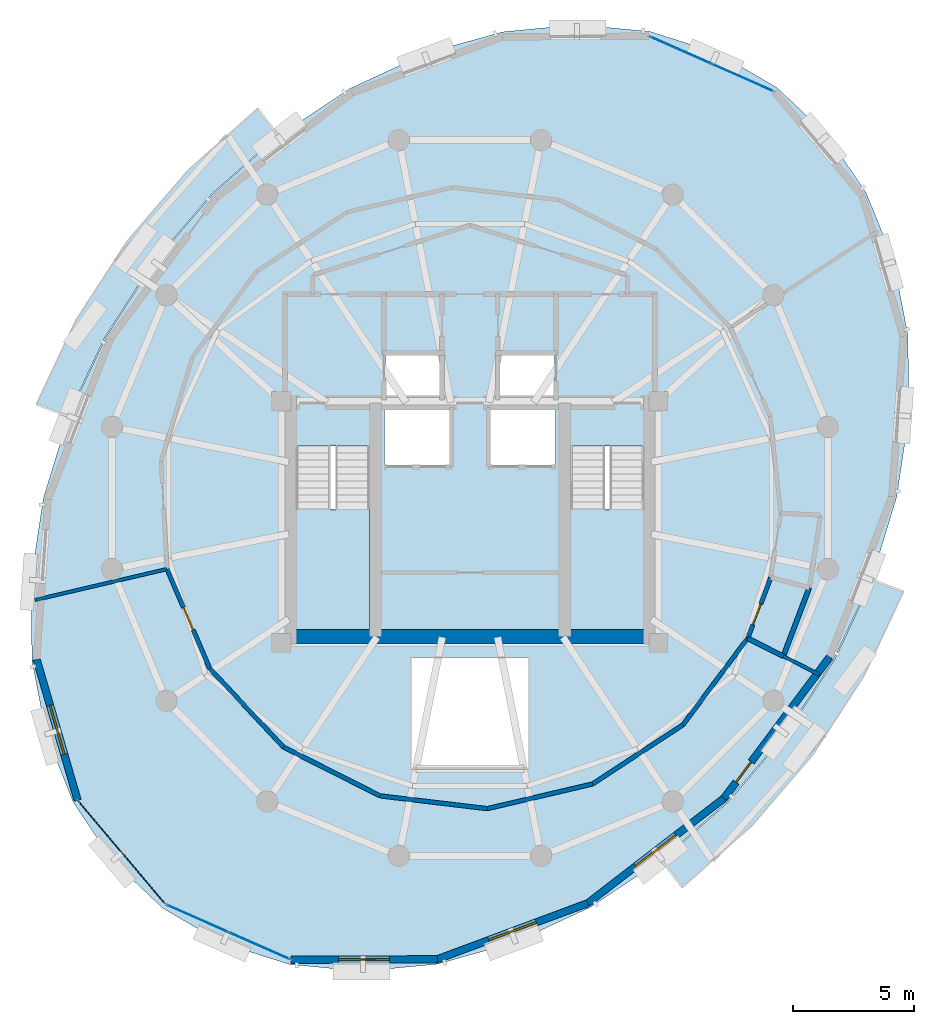
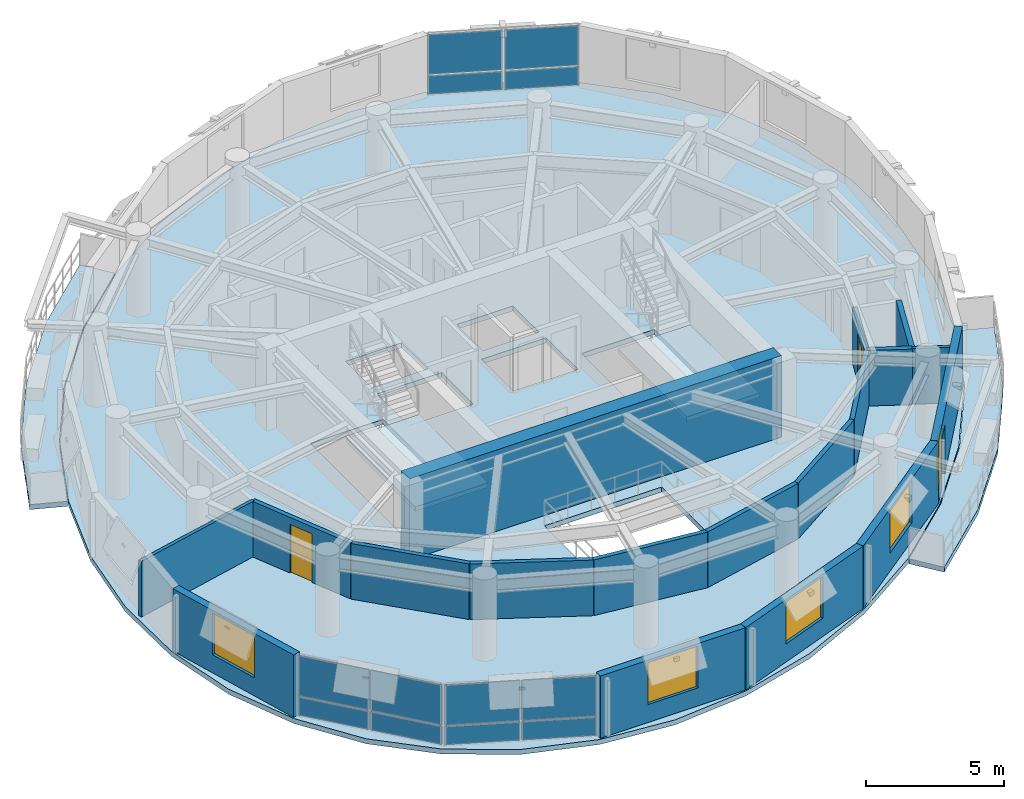
# One storey, part 6 of 11: 18 walls, 12 plates, 5 slabs, 4 windows, 3 doors, 7 openings, 5 elements without a shape of their own.
"""IFC4 building model written with IfcOpenShell, lengths in metres."""

from ifc_helpers import new_model, si_unit, direction, frame, frame_2d, origin, origin_2d, place, context, subcontext, project, spatial, polyline, rectangle, outline, extrude, material, layer, layer_set, type_object, element, fill, aggregate, save


model = new_model("IFC4")

# Units and contexts
model_context = context("Model", 3, precision=1e-05, world=origin(), true_north=direction((0.0, 1.0)))
body_context = subcontext(model_context, "Body", "Model", "MODEL_VIEW")
ifc_project = project(units=[si_unit("LENGTHUNIT", "METRE"), si_unit("AREAUNIT", "SQUARE_METRE"), si_unit("VOLUMEUNIT", "CUBIC_METRE"), si_unit("PLANEANGLEUNIT", "RADIAN"), si_unit("MASSUNIT", "GRAM", prefix="KILO"), si_unit("THERMODYNAMICTEMPERATUREUNIT", "KELVIN"), si_unit("POWERUNIT", "WATT")], contexts=[model_context])

# Site, building, storey
site_placement = place(None, origin())
site = spatial("IfcSite", under=ifc_project, at=site_placement, CompositionType="ELEMENT")
building_placement = place(site_placement, origin())
building = spatial("IfcBuilding", under=site, at=building_placement, Name="Ocrelia Relay Tower", CompositionType="ELEMENT")
storey_placement = place(building_placement, frame((0.0, 0.0, 252.0)))
storey = spatial("IfcBuildingStorey", under=building, at=storey_placement, Name="L62", CompositionType="ELEMENT", Elevation=252.0)

# Curtain wall, plates
ifc_material_1 = material(Name="Aluminium and solar-control low-E glass", Category="aluminium")
ifc_layer_1 = layer(ifc_material_1, 0.179931640625, Name="Aluminium and solar-control low-E glass")
ifc_layer_set_1 = layer_set([ifc_layer_1], Name="Aluminium and solar-control low-E glass")
curtain_wall_type = type_object("IfcCurtainWallType", Name="CW-SYS-Z4-EXEC", PredefinedType="NOTDEFINED", material=ifc_layer_set_1)
curtain_wall_1_placement = place(storey_placement, origin())
curtain_wall_1 = element("IfcCurtainWall", 1, at=curtain_wall_1_placement, inside=storey, type_object=curtain_wall_type, Name="L62 Elliptical Tower Curtain Wall Bay 01", PredefinedType="NOTDEFINED")
ifc_material_2 = material(Name="Clear double-glazed low-E glass", Category="glass")
ifc_layer_2 = layer(ifc_material_2, 0.031982421875, Name="Clear double-glazed low-E glass")
ifc_layer_set_2 = layer_set([ifc_layer_2], Name="Clear double-glazed low-E glass")
plate_type = type_object("IfcPlateType", Name="CW-SYS-Z4-EXEC-PNL", PredefinedType="CURTAIN_PANEL", material=ifc_layer_set_2)
plate_1_placement = place(storey_placement, frame((45.272705078125, 43.39306640625, 0.06005859375), z_axis=(0.0, 0.0, 1.0), x_axis=(-0.914627100885, 0.404298486673, 0.0)))
plate_1 = element("IfcPlate", 2, at=plate_1_placement, type_object=plate_type, Name="CW-Z4 panel 1.1", PredefinedType="CURTAIN_PANEL", context=body_context, shape_type="SweptSolid", body=[
    extrude(rectangle(XDim=2.7275390625, YDim=0.031982421875, at=origin_2d()), origin(), (0.0, 0.0, 1.0), 0.81005859375),
])
plate_2_placement = place(storey_placement, frame((45.272705078125, 43.39306640625, 0.929931640625), z_axis=(0.0, 0.0, 1.0), x_axis=(-0.914627100885, 0.404298486673, 0.0)))
plate_2 = element("IfcPlate", 3, at=plate_2_placement, type_object=plate_type, Name="CW-Z4 panel 1.2", PredefinedType="CURTAIN_PANEL", context=body_context, shape_type="SweptSolid", body=[
    extrude(rectangle(XDim=2.7275390625, YDim=0.031982421875, at=origin_2d()), origin(), (0.0, 0.0, 1.0), 1.77001953125),
])
plate_3_placement = place(storey_placement, frame((42.718505859375, 44.522216796875, 0.06005859375), z_axis=(0.0, 0.0, 1.0), x_axis=(-0.914627100885, 0.404298486673, 0.0)))
plate_3 = element("IfcPlate", 4, at=plate_3_placement, type_object=plate_type, Name="CW-Z4 panel 2.1", PredefinedType="CURTAIN_PANEL", context=body_context, shape_type="SweptSolid", body=[
    extrude(rectangle(XDim=2.7275390625, YDim=0.031982421875, at=origin_2d()), origin(), (0.0, 0.0, 1.0), 0.81005859375),
])
plate_4_placement = place(storey_placement, frame((42.718505859375, 44.522216796875, 0.929931640625), z_axis=(0.0, 0.0, 1.0), x_axis=(-0.914627100885, 0.404298486673, 0.0)))
plate_4 = element("IfcPlate", 5, at=plate_4_placement, type_object=plate_type, Name="CW-Z4 panel 2.2", PredefinedType="CURTAIN_PANEL", context=body_context, shape_type="SweptSolid", body=[
    extrude(rectangle(XDim=2.7275390625, YDim=0.031982421875, at=origin_2d()), origin(), (0.0, 0.0, 1.0), 1.77001953125),
])
aggregate(curtain_wall_1, [plate_1, plate_2, plate_3, plate_4])

curtain_wall_2_placement = place(storey_placement, origin())
curtain_wall_2 = element("IfcCurtainWall", 6, at=curtain_wall_2_placement, inside=storey, type_object=curtain_wall_type, Name="L62 Elliptical Tower Curtain Wall Bay 09", PredefinedType="NOTDEFINED")
plate_5_placement = place(storey_placement, frame((18.693115234375, 12.40673828125, 0.06005859375), z_axis=(0.0, 0.0, 1.0), x_axis=(0.646085828535, -0.763264765443, 0.0)))
plate_5 = element("IfcPlate", 7, at=plate_5_placement, type_object=plate_type, Name="CW-Z4 panel 1.1", PredefinedType="CURTAIN_PANEL", context=body_context, shape_type="SweptSolid", body=[
    extrude(rectangle(XDim=2.727783203125, YDim=0.031982421875, at=origin_2d()), origin(), (0.0, 0.0, 1.0), 0.81005859375),
])
plate_6_placement = place(storey_placement, frame((18.693115234375, 12.40673828125, 0.929931640625), z_axis=(0.0, 0.0, 1.0), x_axis=(0.646085828535, -0.763264765443, 0.0)))
plate_6 = element("IfcPlate", 8, at=plate_6_placement, type_object=plate_type, Name="CW-Z4 panel 1.2", PredefinedType="CURTAIN_PANEL", context=body_context, shape_type="SweptSolid", body=[
    extrude(rectangle(XDim=2.727783203125, YDim=0.031982421875, at=origin_2d()), origin(), (0.0, 0.0, 1.0), 1.77001953125),
])
plate_7_placement = place(storey_placement, frame((20.497314453125, 10.275146484375, 0.06005859375), z_axis=(0.0, 0.0, 1.0), x_axis=(0.646085828535, -0.763264765443, 0.0)))
plate_7 = element("IfcPlate", 9, at=plate_7_placement, type_object=plate_type, Name="CW-Z4 panel 2.1", PredefinedType="CURTAIN_PANEL", context=body_context, shape_type="SweptSolid", body=[
    extrude(rectangle(XDim=2.727783203125, YDim=0.031982421875, at=origin_2d()), origin(), (0.0, 0.0, 1.0), 0.81005859375),
])
plate_8_placement = place(storey_placement, frame((20.497314453125, 10.275146484375, 0.929931640625), z_axis=(0.0, 0.0, 1.0), x_axis=(0.646085828535, -0.763264765443, 0.0)))
plate_8 = element("IfcPlate", 10, at=plate_8_placement, type_object=plate_type, Name="CW-Z4 panel 2.2", PredefinedType="CURTAIN_PANEL", context=body_context, shape_type="SweptSolid", body=[
    extrude(rectangle(XDim=2.727783203125, YDim=0.031982421875, at=origin_2d()), origin(), (0.0, 0.0, 1.0), 1.77001953125),
])
aggregate(curtain_wall_2, [plate_5, plate_6, plate_7, plate_8])

curtain_wall_3_placement = place(storey_placement, origin())
curtain_wall_3 = element("IfcCurtainWall", 11, at=curtain_wall_3_placement, inside=storey, type_object=curtain_wall_type, Name="L62 Elliptical Tower Curtain Wall Bay 10", PredefinedType="NOTDEFINED")
plate_9_placement = place(storey_placement, frame((22.727294921875, 8.60693359375, 0.06005859375), z_axis=(0.0, 0.0, 1.0), x_axis=(0.914627100885, -0.404298486673, 0.0)))
plate_9 = element("IfcPlate", 12, at=plate_9_placement, type_object=plate_type, Name="CW-Z4 panel 1.1", PredefinedType="CURTAIN_PANEL", context=body_context, shape_type="SweptSolid", body=[
    extrude(rectangle(XDim=2.7275390625, YDim=0.031982421875, at=origin_2d()), origin(), (0.0, 0.0, 1.0), 0.81005859375),
])
plate_10_placement = place(storey_placement, frame((22.727294921875, 8.60693359375, 0.929931640625), z_axis=(0.0, 0.0, 1.0), x_axis=(0.914627100885, -0.404298486673, 0.0)))
plate_10 = element("IfcPlate", 13, at=plate_10_placement, type_object=plate_type, Name="CW-Z4 panel 1.2", PredefinedType="CURTAIN_PANEL", context=body_context, shape_type="SweptSolid", body=[
    extrude(rectangle(XDim=2.7275390625, YDim=0.031982421875, at=origin_2d()), origin(), (0.0, 0.0, 1.0), 1.77001953125),
])
plate_11_placement = place(storey_placement, frame((25.281494140625, 7.477783203125, 0.06005859375), z_axis=(0.0, 0.0, 1.0), x_axis=(0.914627100885, -0.404298486673, 0.0)))
plate_11 = element("IfcPlate", 14, at=plate_11_placement, type_object=plate_type, Name="CW-Z4 panel 2.1", PredefinedType="CURTAIN_PANEL", context=body_context, shape_type="SweptSolid", body=[
    extrude(rectangle(XDim=2.7275390625, YDim=0.031982421875, at=origin_2d()), origin(), (0.0, 0.0, 1.0), 0.81005859375),
])
plate_12_placement = place(storey_placement, frame((25.281494140625, 7.477783203125, 0.929931640625), z_axis=(0.0, 0.0, 1.0), x_axis=(0.914627100885, -0.404298486673, 0.0)))
plate_12 = element("IfcPlate", 15, at=plate_12_placement, type_object=plate_type, Name="CW-Z4 panel 2.2", PredefinedType="CURTAIN_PANEL", context=body_context, shape_type="SweptSolid", body=[
    extrude(rectangle(XDim=2.7275390625, YDim=0.031982421875, at=origin_2d()), origin(), (0.0, 0.0, 1.0), 1.77001953125),
])
aggregate(curtain_wall_3, [plate_9, plate_10, plate_11, plate_12])

# Slabs
ifc_material_3 = material(Name="Precast concrete C40/50", Category="concrete")
ifc_layer_3 = layer(ifc_material_3, 0.219970703125, Name="Precast concrete C40/50")
ifc_layer_set_3 = layer_set([ifc_layer_3], Name="Precast concrete C40/50")
slab_type_1 = type_object("IfcSlabType", Name="SL-BALC-220", PredefinedType="FLOOR", material=ifc_layer_set_3)
slab_1_placement = place(storey_placement, frame((0.0, 0.0, -0.219970703125)))
element("IfcSlab", 16, at=slab_1_placement, inside=storey, type_object=slab_type_1, Name="L62 Planted Loggia Balcony B1", PredefinedType="FLOOR", context=body_context, shape_type="SweptSolid", body=[
    extrude(outline(polyline([(26.060302734375, 41.005126953125), (24.6953125, 39.794921875), (23.330078125, 38.584716796875), (20.924072265625, 35.781982421875), (18.914794921875, 32.6826171875), (18.139404296875, 31.03125), (17.36376953125, 29.380126953125), (16.06396484375, 29.882080078125), (16.88037109375, 31.62060546875), (17.697021484375, 33.359130859375), (19.80859375, 36.61669921875), (22.337158203125, 39.56201171875), (23.7744140625, 40.836181640625), (25.211669921875, 42.1103515625), (26.060302734375, 41.005126953125)])), origin(), (0.0, 0.0, 1.0), 0.219970703125),
])
slab_2_placement = place(storey_placement, frame((0.0, 0.0, -0.219970703125)))
element("IfcSlab", 17, at=slab_2_placement, inside=storey, type_object=slab_type_1, Name="L62 Planted Loggia Balcony B2", PredefinedType="FLOOR", context=body_context, shape_type="SweptSolid", body=[
    extrude(outline(polyline([(41.939697265625, 10.994873046875), (43.3046875, 12.205078125), (44.669921875, 13.415283203125), (47.075927734375, 16.218017578125), (49.085205078125, 19.3173828125), (49.860595703125, 20.96875), (50.63623046875, 22.619873046875), (51.93603515625, 22.117919921875), (51.11962890625, 20.37939453125), (50.302978515625, 18.640869140625), (48.19140625, 15.38330078125), (45.662841796875, 12.43798828125), (44.2255859375, 11.163818359375), (42.788330078125, 9.8896484375), (41.939697265625, 10.994873046875)])), origin(), (0.0, 0.0, 1.0), 0.219970703125),
])
ifc_material_4 = material(Name="Concrete C50/60", Category="concrete")
ifc_layer_4 = layer(ifc_material_4, 0.219970703125, Name="Concrete C50/60")
ifc_layer_set_4 = layer_set([ifc_layer_4], Name="Concrete C50/60")
slab_type_2 = type_object("IfcSlabType", Name="SL-FLR-220", PredefinedType="FLOOR", material=ifc_layer_set_4)
slab_3_placement = place(storey_placement, frame((0.0, 0.0, -0.219970703125)))
element("IfcSlab", 18, at=slab_3_placement, inside=storey, type_object=slab_type_2, Name="L62 Elliptical Tower Floor Slab", PredefinedType="FLOOR", context=body_context, shape_type="SweptSolid", body=[
    extrude(outline(polyline([(46.69921875, 42.9755859375), (44.239990234375, 44.4130859375), (41.469482421875, 45.291259765625), (38.471923828125, 45.583251953125), (35.338623046875, 45.2802734375), (32.16455078125, 44.391357421875), (29.04638671875, 42.943603515625), (26.07861328125, 40.981201171875), (23.3515625, 38.5634765625), (20.947998046875, 35.76416015625), (18.941162109375, 32.66796875), (17.391845703125, 29.369384765625), (16.34716796875, 25.96826171875), (15.838623046875, 22.568115234375), (15.882080078125, 19.272216796875), (16.47607421875, 16.180908203125), (17.6025390625, 13.3876953125), (19.227294921875, 10.977783203125), (21.30078125, 9.0244140625), (23.760009765625, 7.5869140625), (26.530517578125, 6.708740234375), (29.528076171875, 6.416748046875), (32.661376953125, 6.7197265625), (35.83544921875, 7.608642578125), (38.95361328125, 9.056396484375), (41.92138671875, 11.018798828125), (44.6484375, 13.4365234375), (47.052001953125, 16.23583984375), (49.058837890625, 19.33203125), (50.608154296875, 22.630615234375), (51.65283203125, 26.03173828125), (52.161376953125, 29.431884765625), (52.117919921875, 32.727783203125), (51.52392578125, 35.819091796875), (50.3974609375, 38.6123046875), (48.772705078125, 41.022216796875), (46.69921875, 42.9755859375)]), holes=[polyline([(26.81005859375, 28.14990234375), (26.81005859375, 20.550048828125), (29.85009765625, 20.550048828125), (29.85009765625, 28.14990234375), (26.81005859375, 28.14990234375)]), polyline([(38.159912109375, 28.14990234375), (38.159912109375, 20.550048828125), (41.199951171875, 20.550048828125), (41.199951171875, 28.14990234375), (38.159912109375, 28.14990234375)]), polyline([(30.4599609375, 27.35009765625), (33.159912109375, 27.35009765625), (33.159912109375, 29.64990234375), (30.4599609375, 29.64990234375), (30.4599609375, 27.35009765625)]), polyline([(34.840087890625, 27.35009765625), (37.5400390625, 27.35009765625), (37.5400390625, 29.64990234375), (34.840087890625, 29.64990234375), (34.840087890625, 27.35009765625)]), polyline([(30.5, 30.10009765625), (32.85009765625, 30.10009765625), (32.85009765625, 32.0), (30.5, 32.0), (30.5, 30.10009765625)]), polyline([(35.14990234375, 30.10009765625), (37.5, 30.10009765625), (37.5, 32.0), (35.14990234375, 32.0), (35.14990234375, 30.10009765625)]), polyline([(31.550048828125, 14.800048828125), (36.449951171875, 14.800048828125), (36.449951171875, 19.39990234375), (31.550048828125, 19.39990234375), (31.550048828125, 14.800048828125)])]), origin(), (0.0, 0.0, 1.0), 0.219970703125),
])

# Stair, slab
stair_type = type_object("IfcStairType", Name="ST-DL-1420-R180", PredefinedType="HALF_TURN_STAIR", material=ifc_material_4)
stair_1_placement = place(storey_placement, origin())
stair_1 = element("IfcStair", 19, at=stair_1_placement, inside=storey, type_object=stair_type, Name="L62 West Core Exit Stair ST1", PredefinedType="HALF_TURN_STAIR")
ifc_layer_5 = layer(ifc_material_4, 0.199951171875, Name="Concrete C50/60")
ifc_layer_set_5 = layer_set([ifc_layer_5], Name="Concrete C50/60")
slab_type_3 = type_object("IfcSlabType", Name="SL-LANDING-200", PredefinedType="LANDING", material=ifc_layer_set_5)
slab_4_placement = place(storey_placement, frame((0.0, 0.0, 1.60009765625)))
slab_4 = element("IfcSlab", 20, at=slab_4_placement, type_object=slab_type_3, Name="ST1 landing 1", PredefinedType="LANDING", context=body_context, shape_type="SweptSolid", body=[
    extrude(outline(polyline([(26.81005859375, 25.5400390625), (26.81005859375, 20.550048828125), (29.85009765625, 20.550048828125), (29.85009765625, 25.5400390625), (26.81005859375, 25.5400390625)])), origin(), (0.0, 0.0, 1.0), 0.199951171875),
])
aggregate(stair_1, [slab_4])

stair_2_placement = place(storey_placement, origin())
stair_2 = element("IfcStair", 21, at=stair_2_placement, inside=storey, type_object=stair_type, Name="L62 East Core Exit Stair ST2", PredefinedType="HALF_TURN_STAIR")
slab_5_placement = place(storey_placement, frame((0.0, 0.0, 1.60009765625)))
slab_5 = element("IfcSlab", 22, at=slab_5_placement, type_object=slab_type_3, Name="ST2 landing 1", PredefinedType="LANDING", context=body_context, shape_type="SweptSolid", body=[
    extrude(outline(polyline([(38.159912109375, 25.5400390625), (38.159912109375, 20.550048828125), (41.199951171875, 20.550048828125), (41.199951171875, 25.5400390625), (38.159912109375, 25.5400390625)])), origin(), (0.0, 0.0, 1.0), 0.199951171875),
])
aggregate(stair_2, [slab_5])

# Wall
ifc_layer_6 = layer(ifc_material_4, 0.60009765625, Name="Concrete C50/60")
ifc_layer_set_6 = layer_set([ifc_layer_6], Name="Concrete C50/60")
wall_type_1 = type_object("IfcWallType", Name="CW-CORE-600B", PredefinedType="SHEAR", material=ifc_layer_set_6)
wall_1_placement = place(storey_placement, frame((26.221923828125, 20.261962890625, 0.0), z_axis=(0.0, 0.0, 1.0), x_axis=(1.0, 0.0, 0.0)))
element("IfcWall", 23, at=wall_1_placement, inside=storey, type_object=wall_type_1, Name="L62 Core Shear Wall S", PredefinedType="SHEAR", context=body_context, shape_type="SweptSolid", body=[
    extrude(rectangle(XDim=15.566162109375, YDim=0.60009765625, at=frame_2d((7.783203125, 0.0))), origin(), (0.0, 0.0, 1.0), 3.60009765625),
])

# Wall, opening, door
ifc_material_5 = material(Name="Gypsum Fireboard Partition EI60", Category="gypsum")
ifc_layer_7 = layer(ifc_material_5, 0.179931640625, Name="Gypsum Fireboard Partition EI60")
ifc_layer_set_7 = layer_set([ifc_layer_7], Name="Gypsum Fireboard Partition EI60")
wall_type_2 = type_object("IfcWallType", Name="W-CORR-EI60-180", PredefinedType="PARTITIONING", material=ifc_layer_set_7)
wall_2_placement = place(storey_placement, frame((45.487548828125, 20.197265625, 0.0), z_axis=(0.0, 0.0, 1.0), x_axis=(0.355157498944, 0.934806477804, 0.0)))
wall_2 = element("IfcWall", 24, at=wall_2_placement, inside=storey, type_object=wall_type_2, Name="L62 Staff Toilet Corridor Wall", PredefinedType="PARTITIONING", context=body_context, shape_type="SweptSolid", body=[
    extrude(rectangle(XDim=2.6904296875, YDim=0.179931640625, at=frame_2d((1.34521484375, 0.0))), origin(), (0.0, 0.0, 1.0), 2.4599609375),
])
opening_1_placement = place(wall_2_placement, frame((0.603271484375, 0.0, 0.0)))
opening_1 = element("IfcOpeningElement", 25, at=opening_1_placement, cuts=wall_2, Name="Opening D-WC92", PredefinedType="OPENING", context=body_context, shape_type="SweptSolid", body=[
    extrude(rectangle(XDim=0.919921875, YDim=2.10009765625, at=frame_2d((0.4599609375, 1.050048828125))), frame((0.0, 0.10009765625, 0.0), z_axis=(0.0, -1.0, 0.0), x_axis=(1.0, 0.0, 0.0)), (0.0, 0.0, 1.0), 0.199951171875),
])
ifc_material_6 = material(Name="Laminate washroom door", Category="wood")
door_type_1 = type_object("IfcDoorType", Name="DR-WC-920", OperationType="NOTDEFINED", PredefinedType="DOOR", material=ifc_material_6)
door_1_placement = place(opening_1_placement, origin())
door_1 = element("IfcDoor", 26, at=door_1_placement, inside=storey, type_object=door_type_1, Name="L62 Staff Toilet Door", OperationType="SINGLE_SWING_RIGHT", OverallHeight=2.10009765625, OverallWidth=0.919921875, PredefinedType="DOOR", context=body_context, shape_type="SweptSolid", body=[
    extrude(rectangle(XDim=0.919921875, YDim=2.10009765625, at=frame_2d((0.4599609375, 1.050048828125))), frame((0.0, 0.02490234375, 0.0), z_axis=(0.0, -1.0, 0.0), x_axis=(1.0, 0.0, 0.0)), (0.0, 0.0, 1.0), 0.050048828125),
])
fill(opening_1, door_1)

wall_3_placement = place(storey_placement, frame((21.469970703125, 23.06103515625, 0.0), z_axis=(0.0, 0.0, 1.0), x_axis=(0.393939075681, -0.919136553866, 0.0)))
wall_3 = element("IfcWall", 27, at=wall_3_placement, inside=storey, type_object=wall_type_2, Name="L62 Staff Wellness and Fitness Studio Corridor Partition 1", PredefinedType="PARTITIONING", context=body_context, shape_type="SweptSolid", body=[
    extrude(rectangle(XDim=4.469482421875, YDim=0.179931640625, at=frame_2d((2.23486328125, 0.0))), origin(), (0.0, 0.0, 1.0), 2.4599609375),
])
opening_2_placement = place(wall_3_placement, frame((1.73486328125, 0.0, 0.0)))
opening_2 = element("IfcOpeningElement", 28, at=opening_2_placement, cuts=wall_3, Name="Opening D-RM100", PredefinedType="OPENING", context=body_context, shape_type="SweptSolid", body=[
    extrude(rectangle(XDim=1.0, YDim=2.14990234375, at=frame_2d((0.5, 1.074951171875))), frame((0.0, 0.10009765625, 0.0), z_axis=(0.0, -1.0, 0.0), x_axis=(1.0, 0.0, 0.0)), (0.0, 0.0, 1.0), 0.199951171875),
])
ifc_material_7 = material(Name="Acoustic oak veneer fire door", Category="wood")
door_type_2 = type_object("IfcDoorType", Name="DR-ROOM-FD60-1000", OperationType="NOTDEFINED", PredefinedType="DOOR", material=ifc_material_7)
door_2_placement = place(opening_2_placement, origin())
door_2 = element("IfcDoor", 29, at=door_2_placement, inside=storey, type_object=door_type_2, Name="L62 Staff Wellness and Fitness Studio Entrance Door", OperationType="SINGLE_SWING_RIGHT", OverallHeight=2.14990234375, OverallWidth=1.0, PredefinedType="DOOR", context=body_context, shape_type="SweptSolid", body=[
    extrude(rectangle(XDim=1.0, YDim=2.14990234375, at=frame_2d((0.5, 1.074951171875))), frame((0.0, 0.02490234375, 0.0), z_axis=(0.0, -1.0, 0.0), x_axis=(1.0, 0.0, 0.0)), (0.0, 0.0, 1.0), 0.050048828125),
])
fill(opening_2, door_2)

# Walls
wall_4_placement = place(storey_placement, frame((23.230712890625, 18.952880859375, 0.0), z_axis=(0.0, 0.0, 1.0), x_axis=(0.684554994784, -0.728961219213, 0.0)))
element("IfcWall", 30, at=wall_4_placement, inside=storey, type_object=wall_type_2, Name="L62 Staff Wellness and Fitness Studio Corridor Partition 2", PredefinedType="PARTITIONING", context=body_context, shape_type="SweptSolid", body=[
    extrude(rectangle(XDim=4.4697265625, YDim=0.179931640625, at=frame_2d((2.23486328125, 0.0))), origin(), (0.0, 0.0, 1.0), 2.4599609375),
])
wall_5_placement = place(storey_placement, frame((26.29052734375, 15.694580078125, 0.0), z_axis=(0.0, 0.0, 1.0), x_axis=(0.892584460016, -0.450880229925, 0.0)))
element("IfcWall", 31, at=wall_5_placement, inside=storey, type_object=wall_type_2, Name="L62 Staff Wellness and Fitness Studio Corridor Partition 3", PredefinedType="PARTITIONING", context=body_context, shape_type="SweptSolid", body=[
    extrude(rectangle(XDim=4.469970703125, YDim=0.179931640625, at=frame_2d((2.23486328125, 0.0))), origin(), (0.0, 0.0, 1.0), 2.4599609375),
])
for number, where, z_axis, x_axis, name in (
    (32, (30.2802734375, 13.67919921875, 0.0), (0.0, 0.0, 1.0), (0.992970095905, -0.118365487531, 0.0), "L62 Staff Wellness and Fitness Studio Corridor Partition 4"),
    (33, (34.718505859375, 13.150146484375, 0.0), (0.0, 0.0, 1.0), (0.973585963323, 0.228320765636, 0.0), "L62 Staff Wellness and Fitness Studio Corridor Partition 5"),
    (34, (39.070068359375, 14.170654296875, 0.0), (0.0, 0.0, 1.0), (0.836751116768, 0.54758338962, 0.0), "L62 Staff Wellness and Fitness Studio Corridor Partition 6"),
    (35, (42.81005859375, 16.6181640625, 0.0), (0.0, 0.0, 1.0), (0.599020755264, 0.800733497964, 0.0), "L62 Staff Wellness and Fitness Studio Corridor Partition 7"),
):
    element("IfcWall", number, at=place(storey_placement, frame(where, z_axis=z_axis, x_axis=x_axis)), inside=storey, type_object=wall_type_2, Name=name, PredefinedType="PARTITIONING", context=body_context, shape_type="SweptSolid", body=[
        extrude(rectangle(XDim=4.4697265625, YDim=0.179931640625, at=frame_2d((2.23486328125, 0.0))), origin(), (0.0, 0.0, 1.0), 2.4599609375),
    ])

# Wall, opening, window
ifc_material_8 = material(Name="Precast concrete C40/50 with oxide terracotta", Category="masonry")
ifc_layer_8 = layer(ifc_material_8, 0.300048828125, Name="Precast concrete C40/50 with oxide terracotta")
ifc_layer_set_8 = layer_set([ifc_layer_8], Name="Precast concrete C40/50 with oxide terracotta")
wall_type_3 = type_object("IfcWallType", Name="W-EXT-TERR-300", PredefinedType="SOLIDWALL", material=ifc_layer_set_8)
wall_6_placement = place(storey_placement, frame((16.076904296875, 19.31787109375, 0.0), z_axis=(0.0, 0.0, 1.0), x_axis=(0.279308611401, -0.960201384917, 0.0)))
wall_6 = element("IfcWall", 36, at=wall_6_placement, inside=storey, type_object=wall_type_3, Name="L62 Oxide Terracotta Facade Wall 08", PredefinedType="SOLIDWALL", context=body_context, shape_type="SweptSolid", body=[
    extrude(rectangle(XDim=6.061767578125, YDim=0.300048828125, at=frame_2d((3.03076171875, 0.0))), origin(), (0.0, 0.0, 1.0), 2.760009765625),
])
opening_3_placement = place(wall_6_placement, frame((1.98095703125, 0.0, 0.800048828125)))
opening_3 = element("IfcOpeningElement", 37, at=opening_3_placement, cuts=wall_6, Name="Opening W-07", PredefinedType="OPENING", context=body_context, shape_type="SweptSolid", body=[
    extrude(rectangle(XDim=2.10009765625, YDim=1.85009765625, at=frame_2d((1.050048828125, 0.925048828125))), frame((0.0, 0.16015625, 0.0), z_axis=(0.0, -1.0, 0.0), x_axis=(1.0, 0.0, 0.0)), (0.0, 0.0, 1.0), 0.320068359375),
])
window_type = type_object("IfcWindowType", Name="WIN-Z4-2100x2200", PartitioningType="DOUBLE_PANEL_VERTICAL", PredefinedType="WINDOW", material=ifc_material_2)
window_1_placement = place(opening_3_placement, origin())
window_1 = element("IfcWindow", 38, at=window_1_placement, inside=storey, type_object=window_type, Name="L62 Facade Module Window 08", OverallHeight=1.85009765625, OverallWidth=2.10009765625, PartitioningType="SINGLE_PANEL", PredefinedType="WINDOW", context=body_context, shape_type="SweptSolid", body=[
    extrude(rectangle(XDim=2.10009765625, YDim=1.85009765625, at=frame_2d((1.050048828125, 0.925048828125))), frame((0.0, 0.030029296875, 0.0), z_axis=(0.0, -1.0, 0.0), x_axis=(1.0, 0.0, 0.0)), (0.0, 0.0, 1.0), 0.06005859375),
])
fill(opening_3, window_1)

wall_7_placement = place(storey_placement, frame((26.58837890625, 6.900146484375, 0.0), z_axis=(0.0, 0.0, 1.0), x_axis=(0.99999493823, 0.003181747155, 0.0)))
wall_7 = element("IfcWall", 39, at=wall_7_placement, inside=storey, type_object=wall_type_3, Name="L62 Oxide Terracotta Facade Wall 11", PredefinedType="SOLIDWALL", context=body_context, shape_type="SweptSolid", body=[
    extrude(rectangle(XDim=6.061767578125, YDim=0.300048828125, at=frame_2d((3.03076171875, 0.0))), origin(), (0.0, 0.0, 1.0), 2.760009765625),
])
opening_4_placement = place(wall_7_placement, frame((1.98095703125, 0.0, 0.800048828125)))
opening_4 = element("IfcOpeningElement", 40, at=opening_4_placement, cuts=wall_7, Name="Opening W-07", PredefinedType="OPENING", context=body_context, shape_type="SweptSolid", body=[
    extrude(rectangle(XDim=2.10009765625, YDim=1.85009765625, at=frame_2d((1.050048828125, 0.925048828125))), frame((0.0, 0.16015625, 0.0), z_axis=(0.0, -1.0, 0.0), x_axis=(1.0, 0.0, 0.0)), (0.0, 0.0, 1.0), 0.320068359375),
])
window_2_placement = place(opening_4_placement, origin())
window_2 = element("IfcWindow", 41, at=window_2_placement, inside=storey, type_object=window_type, Name="L62 Facade Module Window 11", OverallHeight=1.85009765625, OverallWidth=2.10009765625, PartitioningType="SINGLE_PANEL", PredefinedType="WINDOW", context=body_context, shape_type="SweptSolid", body=[
    extrude(rectangle(XDim=2.10009765625, YDim=1.85009765625, at=frame_2d((1.050048828125, 0.925048828125))), frame((0.0, 0.030029296875, 0.0), z_axis=(0.0, -1.0, 0.0), x_axis=(1.0, 0.0, 0.0)), (0.0, 0.0, 1.0), 0.06005859375),
])
fill(opening_4, window_2)

wall_8_placement = place(storey_placement, frame((32.650146484375, 6.91943359375, 0.0), z_axis=(0.0, 0.0, 1.0), x_axis=(0.937008544895, 0.349306436805, 0.0)))
wall_8 = element("IfcWall", 42, at=wall_8_placement, inside=storey, type_object=wall_type_3, Name="L62 Oxide Terracotta Facade Wall 12", PredefinedType="SOLIDWALL", context=body_context, shape_type="SweptSolid", body=[
    extrude(rectangle(XDim=6.643310546875, YDim=0.300048828125, at=frame_2d((3.32177734375, 0.0))), origin(), (0.0, 0.0, 1.0), 2.760009765625),
])
opening_5_placement = place(wall_8_placement, frame((2.27197265625, 0.0, 0.800048828125)))
opening_5 = element("IfcOpeningElement", 43, at=opening_5_placement, cuts=wall_8, Name="Opening W-07", PredefinedType="OPENING", context=body_context, shape_type="SweptSolid", body=[
    extrude(rectangle(XDim=2.10009765625, YDim=1.85009765625, at=frame_2d((1.050048828125, 0.925048828125))), frame((0.0, 0.16015625, 0.0), z_axis=(0.0, -1.0, 0.0), x_axis=(1.0, 0.0, 0.0)), (0.0, 0.0, 1.0), 0.320068359375),
])
window_3_placement = place(opening_5_placement, origin())
window_3 = element("IfcWindow", 44, at=window_3_placement, inside=storey, type_object=window_type, Name="L62 Facade Module Window 12", OverallHeight=1.85009765625, OverallWidth=2.10009765625, PartitioningType="SINGLE_PANEL", PredefinedType="WINDOW", context=body_context, shape_type="SweptSolid", body=[
    extrude(rectangle(XDim=2.10009765625, YDim=1.85009765625, at=frame_2d((1.050048828125, 0.925048828125))), frame((0.0, 0.030029296875, 0.0), z_axis=(0.0, -1.0, 0.0), x_axis=(1.0, 0.0, 0.0)), (0.0, 0.0, 1.0), 0.06005859375),
])
fill(opening_5, window_3)

wall_9_placement = place(storey_placement, frame((38.875, 9.239990234375, 0.0), z_axis=(0.0, 0.0, 1.0), x_axis=(0.792179880956, 0.610287666768, 0.0)))
wall_9 = element("IfcWall", 45, at=wall_9_placement, inside=storey, type_object=wall_type_3, Name="L62 Oxide Terracotta Facade Wall 13", PredefinedType="SOLIDWALL", context=body_context, shape_type="SweptSolid", body=[
    extrude(rectangle(XDim=7.115234375, YDim=0.300048828125, at=frame_2d((3.5576171875, 0.0))), origin(), (0.0, 0.0, 1.0), 2.760009765625),
])
opening_6_placement = place(wall_9_placement, frame((2.508056640625, 0.0, 0.800048828125)))
opening_6 = element("IfcOpeningElement", 46, at=opening_6_placement, cuts=wall_9, Name="Opening W-07", PredefinedType="OPENING", context=body_context, shape_type="SweptSolid", body=[
    extrude(rectangle(XDim=2.10009765625, YDim=1.85009765625, at=frame_2d((1.050048828125, 0.925048828125))), frame((0.0, 0.16015625, 0.0), z_axis=(0.0, -1.0, 0.0), x_axis=(1.0, 0.0, 0.0)), (0.0, 0.0, 1.0), 0.320068359375),
])
window_4_placement = place(opening_6_placement, origin())
window_4 = element("IfcWindow", 47, at=window_4_placement, inside=storey, type_object=window_type, Name="L62 Facade Module Window 13", OverallHeight=1.85009765625, OverallWidth=2.10009765625, PartitioningType="SINGLE_PANEL", PredefinedType="WINDOW", context=body_context, shape_type="SweptSolid", body=[
    extrude(rectangle(XDim=2.10009765625, YDim=1.85009765625, at=frame_2d((1.050048828125, 0.925048828125))), frame((0.0, 0.030029296875, 0.0), z_axis=(0.0, -1.0, 0.0), x_axis=(1.0, 0.0, 0.0)), (0.0, 0.0, 1.0), 0.06005859375),
])
fill(opening_6, window_4)

# Wall, opening, door
wall_10_placement = place(storey_placement, frame((44.511474609375, 13.582275390625, 0.0), z_axis=(0.0, 0.0, 1.0), x_axis=(0.599035483742, 0.800722479526, 0.0)))
wall_10 = element("IfcWall", 48, at=wall_10_placement, inside=storey, type_object=wall_type_3, Name="L62 Oxide Terracotta Facade Wall 14", PredefinedType="SOLIDWALL", context=body_context, shape_type="SweptSolid", body=[
    extrude(rectangle(XDim=7.293212890625, YDim=0.300048828125, at=frame_2d((3.646484375, 0.0))), origin(), (0.0, 0.0, 1.0), 2.760009765625),
])
opening_7_placement = place(wall_10_placement, frame((0.830078125, 0.0, 0.0)))
opening_7 = element("IfcOpeningElement", 49, at=opening_7_placement, cuts=wall_10, Name="Opening DB-105", PredefinedType="OPENING", context=body_context, shape_type="SweptSolid", body=[
    extrude(rectangle(XDim=1.050048828125, YDim=2.14990234375, at=frame_2d((0.52490234375, 1.074951171875))), frame((0.0, 0.16015625, 0.0), z_axis=(0.0, -1.0, 0.0), x_axis=(1.0, 0.0, 0.0)), (0.0, 0.0, 1.0), 0.320068359375),
])
ifc_material_9 = material(Name="Thermally broken aluminium and clear glass", Category="aluminium")
door_type_3 = type_object("IfcDoorType", Name="DR-BALC-1050", OperationType="NOTDEFINED", PredefinedType="DOOR", material=ifc_material_9)
door_3_placement = place(opening_7_placement, origin())
door_3 = element("IfcDoor", 50, at=door_3_placement, inside=storey, type_object=door_type_3, Name="L62 Planted Loggia Balcony Door B2", OperationType="SINGLE_SWING_LEFT", OverallHeight=2.14990234375, OverallWidth=1.050048828125, PredefinedType="DOOR", context=body_context, shape_type="SweptSolid", body=[
    extrude(rectangle(XDim=1.050048828125, YDim=2.14990234375, at=frame_2d((0.52490234375, 1.074951171875))), frame((0.0, 0.02490234375, 0.0), z_axis=(0.0, -1.0, 0.0), x_axis=(1.0, 0.0, 0.0)), (0.0, 0.0, 1.0), 0.050048828125),
])
fill(opening_7, door_3)

# Walls
ifc_material_10 = material(Name="Acoustic Fireboard Partition EI60", Category="gypsum")
ifc_layer_9 = layer(ifc_material_10, 0.139892578125, Name="Acoustic Fireboard Partition EI60")
ifc_layer_set_9 = layer_set([ifc_layer_9], Name="Acoustic Fireboard Partition EI60")
wall_type_4 = type_object("IfcWallType", Name="W-PART-140", PredefinedType="PARTITIONING", material=ifc_layer_set_9)
wall_11_placement = place(storey_placement, frame((46.960205078125, 19.453369140625, 0.0), z_axis=(0.0, 0.0, 1.0), x_axis=(0.892560568171, -0.450927524271, 0.0)))
element("IfcWall", 51, at=wall_11_placement, inside=storey, type_object=wall_type_4, Name="L62 Technical Reference Library Radial Partition", PredefinedType="PARTITIONING", context=body_context, shape_type="SweptSolid", body=[
    extrude(rectangle(XDim=1.68115234375, YDim=0.139892578125, at=frame_2d((0.840576171875, 0.0))), origin(), (0.0, 0.0, 1.0), 2.4599609375),
])
wall_12_placement = place(storey_placement, frame((21.469970703125, 23.06103515625, 0.0), z_axis=(0.0, 0.0, 1.0), x_axis=(-0.973584940651, -0.228325126383, 0.0)))
element("IfcWall", 52, at=wall_12_placement, inside=storey, type_object=wall_type_4, Name="L62 Executive Club and Forum Hall Radial Partition", PredefinedType="PARTITIONING", context=body_context, shape_type="SweptSolid", body=[
    extrude(rectangle(XDim=5.62109375, YDim=0.139892578125, at=frame_2d((2.810546875, 0.0))), origin(), (0.0, 0.0, 1.0), 2.4599609375),
])
ifc_material_11 = material(Name="Moisture-Resistant Fireboard Chase Wall EI60", Category="gypsum")
ifc_layer_10 = layer(ifc_material_11, 0.199951171875, Name="Moisture-Resistant Fireboard Chase Wall EI60")
ifc_layer_set_10 = layer_set([ifc_layer_10], Name="Moisture-Resistant Fireboard Chase Wall EI60")
wall_type_5 = type_object("IfcWallType", Name="W-PLUMB-200", PredefinedType="PLUMBINGWALL", material=ifc_layer_set_10)
wall_13_placement = place(storey_placement, frame((45.487548828125, 20.197265625, 0.0), z_axis=(0.0, 0.0, 1.0), x_axis=(0.892584773411, -0.450879609513, 0.0)))
element("IfcWall", 53, at=wall_13_placement, inside=storey, type_object=wall_type_5, Name="L62 Staff Toilet Plumbing Radial Wall", PredefinedType="PLUMBINGWALL", context=body_context, shape_type="SweptSolid", body=[
    extrude(rectangle(XDim=1.64990234375, YDim=0.199951171875, at=frame_2d((0.824951171875, 0.0))), origin(), (0.0, 0.0, 1.0), 2.4599609375),
])
wall_14_placement = place(storey_placement, frame((46.960205078125, 19.453369140625, 0.0), z_axis=(0.0, 0.0, 1.0), x_axis=(0.355165753782, 0.934803341533, 0.0)))
element("IfcWall", 54, at=wall_14_placement, inside=storey, type_object=wall_type_5, Name="L62 Staff Toilet Back Plumbing Wall", PredefinedType="PLUMBINGWALL", context=body_context, shape_type="SweptSolid", body=[
    extrude(rectangle(XDim=3.03564453125, YDim=0.199951171875, at=frame_2d((1.517822265625, 0.0))), origin(), (0.0, 0.0, 1.0), 2.4599609375),
])

save(model, "model.ifc")
